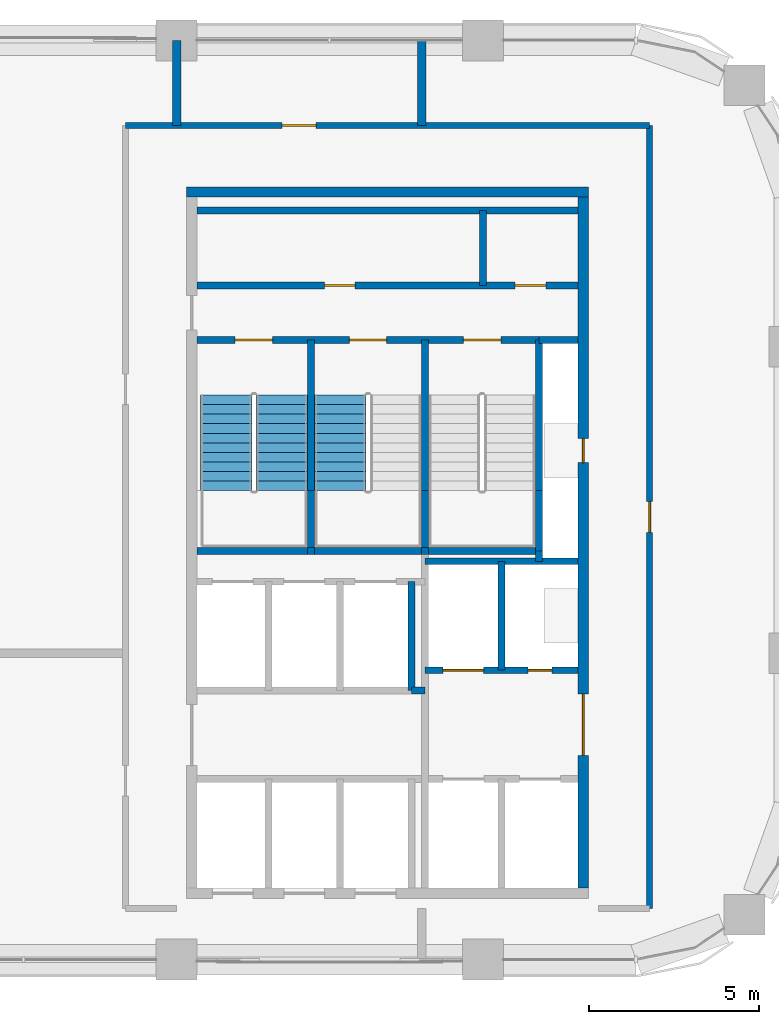
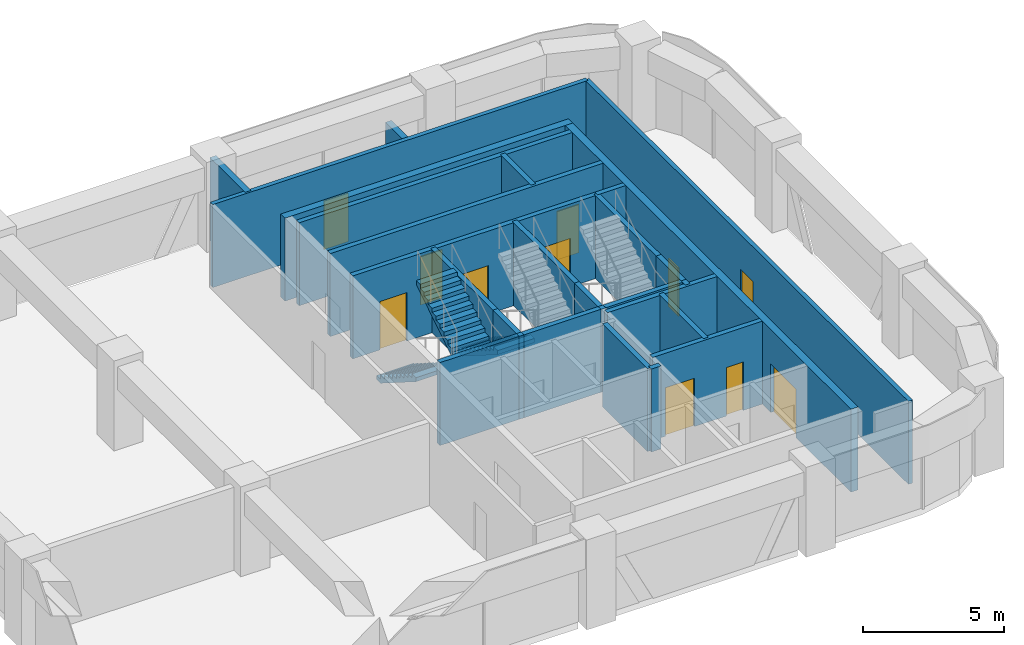
# One storey, part 7 of 9: 28 walls, 11 doors, 3 stair flights, 11 openings, 2 elements without a shape of their own.
"""IFC4 building model written with IfcOpenShell, lengths in metres."""

from ifc_helpers import new_model, si_unit, direction, frame, frame_2d, origin, place, context, subcontext, project, spatial, polyline, rectangle, outline, extrude, material, layer, layer_set, type_object, element, fill, aggregate, save


model = new_model("IFC4")

# Units and contexts
model_context = context("Model", 3, precision=1e-05, world=origin(), true_north=direction((0.0, 1.0)))
body_context = subcontext(model_context, "Body", "Model", "MODEL_VIEW")
ifc_project = project(units=[si_unit("LENGTHUNIT", "METRE"), si_unit("AREAUNIT", "SQUARE_METRE"), si_unit("VOLUMEUNIT", "CUBIC_METRE"), si_unit("PLANEANGLEUNIT", "RADIAN"), si_unit("MASSUNIT", "GRAM", prefix="KILO")], contexts=[model_context])

# Site, building, storey
site_placement = place(None, origin())
site = spatial("IfcSite", under=ifc_project, at=site_placement, CompositionType="ELEMENT")
building_placement = place(site_placement, origin())
building = spatial("IfcBuilding", under=site, at=building_placement, Name="Tessera Arch", CompositionType="ELEMENT")
storey_placement = place(building_placement, frame((0.0, 0.0, 312.89990234375)))
storey = spatial("IfcBuildingStorey", under=building, at=storey_placement, Name="L75", CompositionType="ELEMENT", Elevation=312.89990234375)

# Walls
ifc_material_1 = material(Name="Gypsum board on steel stud", Category="steel")
ifc_layer_1 = layer(ifc_material_1, 0.125)
ifc_layer_set_1 = layer_set([ifc_layer_1], Name="Core partition 125 EI 60")
wall_type_1 = type_object("IfcWallType", Name="Core partition 125 EI 60", PredefinedType="PARTITIONING", material=ifc_layer_set_1)
wall_1_placement = place(storey_placement, frame((45.0, 46.800048828125, 0.0), z_axis=(0.0, 0.0, 1.0), x_axis=(0.0, 1.0, 0.0)))
element("IfcWall", 1, at=wall_1_placement, inside=storey, type_object=wall_type_1, Name="L75 C1 partition wall 12", PredefinedType="PARTITIONING", context=body_context, shape_type="SweptSolid", body=[
    extrude(rectangle(XDim=2.199951171875, YDim=0.199951171875, at=frame_2d((1.10009765625, 0.0))), origin(), (0.0, 0.0, 1.0), 3.60009765625),
])
wall_2_placement = place(storey_placement, frame((42.89990234375, 34.89990234375, 0.0), z_axis=(0.0, 0.0, 1.0), x_axis=(1.0, 0.0, 0.0)))
element("IfcWall", 2, at=wall_2_placement, inside=storey, type_object=wall_type_1, Name="L75 C1 partition wall 19", PredefinedType="PARTITIONING", context=body_context, shape_type="SweptSolid", body=[
    extrude(rectangle(XDim=0.400146484375, YDim=0.199951171875, at=frame_2d((0.2001953125, 0.0))), origin(), (0.0, 0.0, 1.0), 3.60009765625),
])

# Wall, openings, doors
wall_3_placement = place(storey_placement, frame((36.60009765625, 46.800048828125, 0.0), z_axis=(0.0, 0.0, 1.0), x_axis=(1.0, 0.0, 0.0)))
wall_3 = element("IfcWall", 3, at=wall_3_placement, inside=storey, type_object=wall_type_1, Name="L75 C1 partition wall 31", PredefinedType="PARTITIONING", context=body_context, shape_type="SweptSolid", body=[
    extrude(rectangle(XDim=11.199951171875, YDim=0.199951171875, at=frame_2d((5.60009765625, 0.0))), origin(), (0.0, 0.0, 1.0), 3.60009765625),
])
opening_1_placement = place(wall_3_placement, frame((3.75, 0.0, 0.0)))
opening_1 = element("IfcOpeningElement", 4, at=opening_1_placement, cuts=wall_3, Name="Opening L75-C18", PredefinedType="OPENING", context=body_context, shape_type="SweptSolid", body=[
    extrude(rectangle(XDim=0.89990234375, YDim=2.10009765625, at=frame_2d((0.449951171875, 1.050048828125))), frame((0.0, 0.10986328125, 0.0), z_axis=(0.0, -1.0, 0.0), x_axis=(1.0, 0.0, 0.0)), (0.0, 0.0, 1.0), 0.219970703125),
])
opening_2_placement = place(wall_3_placement, frame((9.35009765625, 0.0, 0.0)))
opening_2 = element("IfcOpeningElement", 5, at=opening_2_placement, cuts=wall_3, Name="Opening L75-C19", PredefinedType="OPENING", context=body_context, shape_type="SweptSolid", body=[
    extrude(rectangle(XDim=0.89990234375, YDim=2.10009765625, at=frame_2d((0.449951171875, 1.050048828125))), frame((0.0, 0.10986328125, 0.0), z_axis=(0.0, -1.0, 0.0), x_axis=(1.0, 0.0, 0.0)), (0.0, 0.0, 1.0), 0.219970703125),
])
ifc_material_2 = material(Name="Steel door leaf", Category="steel")
door_type_1 = type_object("IfcDoorType", Name="Store door FD30S 900 x 2100", OperationType="SINGLE_SWING_LEFT", PredefinedType="DOOR", material=ifc_material_2)
door_1_placement = place(opening_1_placement, origin())
door_1 = element("IfcDoor", 6, at=door_1_placement, inside=storey, type_object=door_type_1, Name="L75 C1 door 18 C18 type D09", OperationType="SINGLE_SWING_LEFT", OverallHeight=2.10009765625, OverallWidth=0.89990234375, PredefinedType="DOOR", context=body_context, shape_type="SweptSolid", body=[
    extrude(rectangle(XDim=0.89990234375, YDim=2.10009765625, at=frame_2d((0.449951171875, 1.050048828125))), frame((0.0, 0.02490234375, 0.0), z_axis=(0.0, -1.0, 0.0), x_axis=(1.0, 0.0, 0.0)), (0.0, 0.0, 1.0), 0.050048828125),
])
fill(opening_1, door_1)
door_2_placement = place(opening_2_placement, origin())
door_2 = element("IfcDoor", 7, at=door_2_placement, inside=storey, type_object=door_type_1, Name="L75 C1 door 19 C19 type D09", OperationType="SINGLE_SWING_RIGHT", OverallHeight=2.10009765625, OverallWidth=0.89990234375, PredefinedType="DOOR", context=body_context, shape_type="SweptSolid", body=[
    extrude(rectangle(XDim=0.89990234375, YDim=2.10009765625, at=frame_2d((0.449951171875, 1.050048828125))), frame((0.0, 0.02490234375, 0.0), z_axis=(0.0, -1.0, 0.0), x_axis=(1.0, 0.0, 0.0)), (0.0, 0.0, 1.0), 0.050048828125),
])
fill(opening_2, door_2)

# Walls
wall_4_placement = place(storey_placement, frame((36.60009765625, 49.0, 0.0), z_axis=(0.0, 0.0, 1.0), x_axis=(1.0, 0.0, 0.0)))
element("IfcWall", 8, at=wall_4_placement, inside=storey, type_object=wall_type_1, Name="L75 C1 partition wall 32", PredefinedType="PARTITIONING", context=body_context, shape_type="SweptSolid", body=[
    extrude(rectangle(XDim=11.199951171875, YDim=0.199951171875, at=frame_2d((5.60009765625, 0.0))), origin(), (0.0, 0.0, 1.0), 3.60009765625),
])
ifc_material_3 = material(Name="Concrete C50/60", Category="concrete")
ifc_layer_2 = layer(ifc_material_3, 0.300048828125)
ifc_layer_set_2 = layer_set([ifc_layer_2], Name="Core shell wall 300 C50-60")
wall_type_2 = type_object("IfcWallType", Name="Core shell wall 300 C50-60", PredefinedType="SHEAR", material=ifc_layer_set_2)
wall_5_placement = place(storey_placement, frame((36.300048828125, 49.550048828125, 0.0), z_axis=(0.0, 0.0, 1.0), x_axis=(1.0, 0.0, 0.0)))
element("IfcWall", 9, at=wall_5_placement, inside=storey, type_object=wall_type_2, Name="L75 C1 core wall N", PredefinedType="SHEAR", context=body_context, shape_type="SweptSolid", body=[
    extrude(rectangle(XDim=11.800048828125, YDim=0.300048828125, at=frame_2d((5.89990234375, 0.0))), origin(), (0.0, 0.0, 1.0), 3.60009765625),
])

# Wall, openings, doors
wall_6_placement = place(storey_placement, frame((47.949951171875, 29.10009765625, 0.0), z_axis=(0.0, 0.0, 1.0), x_axis=(0.0, 1.0, 0.0)))
wall_6 = element("IfcWall", 10, at=wall_6_placement, inside=storey, type_object=wall_type_2, Name="L75 C1 core wall E", PredefinedType="SHEAR", context=body_context, shape_type="SweptSolid", body=[
    extrude(rectangle(XDim=20.2998046875, YDim=0.300048828125, at=frame_2d((10.14990234375, 0.0))), origin(), (0.0, 0.0, 1.0), 3.60009765625),
])
opening_3_placement = place(wall_6_placement, frame((12.5, 0.0, 0.0)))
opening_3 = element("IfcOpeningElement", 11, at=opening_3_placement, cuts=wall_6, Name="Opening L75-C14", PredefinedType="OPENING", context=body_context, shape_type="SweptSolid", body=[
    extrude(rectangle(XDim=0.699951171875, YDim=2.10009765625, at=frame_2d((0.35009765625, 1.050048828125))), frame((0.0, 0.159912109375, 0.0), z_axis=(0.0, -1.0, 0.0), x_axis=(1.0, 0.0, 0.0)), (0.0, 0.0, 1.0), 0.320068359375),
])
opening_4_placement = place(wall_6_placement, frame((3.89990234375, 0.0, 0.0)))
opening_4 = element("IfcOpeningElement", 12, at=opening_4_placement, cuts=wall_6, Name="Opening L75-C15", PredefinedType="OPENING", context=body_context, shape_type="SweptSolid", body=[
    extrude(rectangle(XDim=1.800048828125, YDim=2.10009765625, at=frame_2d((0.89990234375, 1.050048828125))), frame((0.0, 0.159912109375, 0.0), z_axis=(0.0, -1.0, 0.0), x_axis=(1.0, 0.0, 0.0)), (0.0, 0.0, 1.0), 0.320068359375),
])
ifc_material_4 = material(Name="Glazed steel door leaf", Category="steel")
door_type_2 = type_object("IfcDoorType", Name="Lobby double door FD60 1800 x 2100", OperationType="DOUBLE_DOOR_SINGLE_SWING", PredefinedType="DOOR", material=ifc_material_4)
door_3_placement = place(opening_4_placement, origin())
door_3 = element("IfcDoor", 13, at=door_3_placement, inside=storey, type_object=door_type_2, Name="L75 C1 door 15 C15 type D19", OperationType="DOUBLE_DOOR_SINGLE_SWING", OverallHeight=2.10009765625, OverallWidth=1.800048828125, PredefinedType="DOOR", context=body_context, shape_type="SweptSolid", body=[
    extrude(rectangle(XDim=1.800048828125, YDim=2.10009765625, at=frame_2d((0.89990234375, 1.050048828125))), frame((0.0, 0.02490234375, 0.0), z_axis=(0.0, -1.0, 0.0), x_axis=(1.0, 0.0, 0.0)), (0.0, 0.0, 1.0), 0.050048828125),
])
fill(opening_4, door_3)
ifc_material_5 = material(Name="Steel door leaf", Category="steel")
door_type_3 = type_object("IfcDoorType", Name="Service shaft door FD60 700 x 2100", OperationType="SINGLE_SWING_LEFT", PredefinedType="DOOR", material=ifc_material_5)
door_4_placement = place(opening_3_placement, origin())
door_4 = element("IfcDoor", 14, at=door_4_placement, inside=storey, type_object=door_type_3, Name="L75 C1 door 14 C14 type D07", OperationType="SINGLE_SWING_RIGHT", OverallHeight=2.10009765625, OverallWidth=0.699951171875, PredefinedType="DOOR", context=body_context, shape_type="SweptSolid", body=[
    extrude(rectangle(XDim=0.699951171875, YDim=2.10009765625, at=frame_2d((0.35009765625, 1.050048828125))), frame((0.0, 0.02490234375, 0.0), z_axis=(0.0, -1.0, 0.0), x_axis=(1.0, 0.0, 0.0)), (0.0, 0.0, 1.0), 0.050048828125),
])
fill(opening_3, door_4)

# Wall, opening, door
ifc_material_6 = material(Name="Gypsum board on deep steel stud with mineral wool", Category="steel")
ifc_layer_3 = layer(ifc_material_6, 0.175048828125)
ifc_layer_set_3 = layer_set([ifc_layer_3], Name="Corridor wall 175 EI 60")
wall_type_3 = type_object("IfcWallType", Name="Corridor wall 175 EI 60", PredefinedType="PARTITIONING", material=ifc_layer_set_3)
wall_7_placement = place(storey_placement, frame((34.5, 51.5, 0.0), z_axis=(0.0, 0.0, 1.0), x_axis=(1.0, 0.0, 0.0)))
wall_7 = element("IfcWall", 15, at=wall_7_placement, inside=storey, type_object=wall_type_3, Name="L75 partition 3", PredefinedType="PARTITIONING", context=body_context, shape_type="SweptSolid", body=[
    extrude(rectangle(XDim=15.39990234375, YDim=0.175048828125, at=frame_2d((7.699951171875, 0.0))), origin(), (0.0, 0.0, 1.0), 3.60009765625),
])
opening_5_placement = place(wall_7_placement, frame((4.60009765625, 0.0, 0.0)))
opening_5 = element("IfcOpeningElement", 16, at=opening_5_placement, cuts=wall_7, Name="Opening L75-D004", PredefinedType="OPENING", context=body_context, shape_type="SweptSolid", body=[
    extrude(rectangle(XDim=1.0, YDim=2.10009765625, at=frame_2d((0.5, 1.050048828125))), frame((0.0, 0.097412109375, 0.0), z_axis=(0.0, -1.0, 0.0), x_axis=(1.0, 0.0, 0.0)), (0.0, 0.0, 1.0), 0.195068359375),
])
ifc_material_7 = material(Name="Fire-rated door leaf")
door_type_4 = type_object("IfcDoorType", Name="Entrance door FD30S 1000 x 2100", OperationType="SINGLE_SWING_LEFT", PredefinedType="DOOR", material=ifc_material_7)
door_5_placement = place(opening_5_placement, origin())
door_5 = element("IfcDoor", 17, at=door_5_placement, inside=storey, type_object=door_type_4, Name="L75 door D004 type D03", OperationType="SINGLE_SWING_RIGHT", OverallHeight=2.10009765625, OverallWidth=1.0, PredefinedType="DOOR", context=body_context, shape_type="SweptSolid", body=[
    extrude(rectangle(XDim=1.0, YDim=2.10009765625, at=frame_2d((0.5, 1.050048828125))), frame((0.0, 0.02490234375, 0.0), z_axis=(0.0, -1.0, 0.0), x_axis=(1.0, 0.0, 0.0)), (0.0, 0.0, 1.0), 0.050048828125),
])
fill(opening_5, door_5)

wall_8_placement = place(storey_placement, frame((49.89990234375, 28.5, 0.0), z_axis=(0.0, 0.0, 1.0), x_axis=(0.0, 1.0, 0.0)))
wall_8 = element("IfcWall", 18, at=wall_8_placement, inside=storey, type_object=wall_type_3, Name="L75 partition 5", PredefinedType="PARTITIONING", context=body_context, shape_type="SweptSolid", body=[
    extrude(rectangle(XDim=23.0, YDim=0.175048828125, at=frame_2d((11.5, 0.0))), origin(), (0.0, 0.0, 1.0), 3.60009765625),
])
opening_6_placement = place(wall_8_placement, frame((11.050048828125, 0.0, 0.0)))
opening_6 = element("IfcOpeningElement", 19, at=opening_6_placement, cuts=wall_8, Name="Opening L75-D002", PredefinedType="OPENING", context=body_context, shape_type="SweptSolid", body=[
    extrude(rectangle(XDim=0.89990234375, YDim=2.10009765625, at=frame_2d((0.449951171875, 1.050048828125))), frame((0.0, 0.097412109375, 0.0), z_axis=(0.0, -1.0, 0.0), x_axis=(1.0, 0.0, 0.0)), (0.0, 0.0, 1.0), 0.195068359375),
])
ifc_material_8 = material(Name="Timber door leaf", Category="wood")
door_type_5 = type_object("IfcDoorType", Name="Room door 900 x 2100", OperationType="SINGLE_SWING_LEFT", PredefinedType="DOOR", material=ifc_material_8)
door_6_placement = place(opening_6_placement, origin())
door_6 = element("IfcDoor", 20, at=door_6_placement, inside=storey, type_object=door_type_5, Name="L75 door D002 type D01", OperationType="SINGLE_SWING_LEFT", OverallHeight=2.10009765625, OverallWidth=0.89990234375, PredefinedType="DOOR", context=body_context, shape_type="SweptSolid", body=[
    extrude(rectangle(XDim=0.89990234375, YDim=2.10009765625, at=frame_2d((0.449951171875, 1.050048828125))), frame((0.0, 0.02490234375, 0.0), z_axis=(0.0, -1.0, 0.0), x_axis=(1.0, 0.0, 0.0)), (0.0, 0.0, 1.0), 0.050048828125),
])
fill(opening_6, door_6)

# Walls
ifc_material_9 = material(Name="Double gypsum board on twin steel stud with acoustic mineral wool", Category="steel")
ifc_layer_4 = layer(ifc_material_9, 0.25)
ifc_layer_set_4 = layer_set([ifc_layer_4], Name="Party wall 250 EI 60")
wall_type_4 = type_object("IfcWallType", Name="Party wall 250 EI 60", PredefinedType="PARTITIONING", material=ifc_layer_set_4)
wall_9_placement = place(storey_placement, frame((36.0, 51.5, 0.0), z_axis=(0.0, 0.0, 1.0), x_axis=(0.0, 1.0, 0.0)))
element("IfcWall", 21, at=wall_9_placement, inside=storey, type_object=wall_type_4, Name="L75 partition 7", PredefinedType="PARTITIONING", context=body_context, shape_type="SweptSolid", body=[
    extrude(rectangle(XDim=2.5, YDim=0.25, at=frame_2d((1.25, 0.0))), origin(), (0.0, 0.0, 1.0), 3.60009765625),
])
wall_10_placement = place(storey_placement, frame((43.199951171875, 51.5, 0.0), z_axis=(0.0, 0.0, 1.0), x_axis=(0.0, 1.0, 0.0)))
element("IfcWall", 22, at=wall_10_placement, inside=storey, type_object=wall_type_4, Name="L75 partition 9", PredefinedType="PARTITIONING", context=body_context, shape_type="SweptSolid", body=[
    extrude(rectangle(XDim=2.5, YDim=0.25, at=frame_2d((1.25, 0.0))), origin(), (0.0, 0.0, 1.0), 2.60009765625),
])
ifc_material_10 = material(Name="Concrete C40/50", Category="concrete")
ifc_layer_5 = layer(ifc_material_10, 0.199951171875)
ifc_layer_set_5 = layer_set([ifc_layer_5], Name="Shaft wall 200 EI 120")
wall_type_5 = type_object("IfcWallType", Name="Shaft wall 200 EI 120", PredefinedType="SOLIDWALL", material=ifc_layer_set_5)
wall_11_placement = place(storey_placement, frame((42.89990234375, 34.89990234375, 0.0), z_axis=(0.0, 0.0, 1.0), x_axis=(0.0, 1.0, 0.0)))
element("IfcWall", 23, at=wall_11_placement, inside=storey, type_object=wall_type_5, Name="L75 C1 shaft wall 8", PredefinedType="SOLIDWALL", context=body_context, shape_type="SweptSolid", body=[
    extrude(rectangle(XDim=3.2001953125, YDim=0.199951171875, at=frame_2d((1.60009765625, 0.0))), origin(), (0.0, 0.0, 1.0), 3.60009765625),
])
wall_12_placement = place(storey_placement, frame((45.550048828125, 35.5, 0.0), z_axis=(0.0, 0.0, 1.0), x_axis=(0.0, 1.0, 0.0)))
element("IfcWall", 24, at=wall_12_placement, inside=storey, type_object=wall_type_5, Name="L75 C1 shaft wall 14", PredefinedType="SOLIDWALL", context=body_context, shape_type="SweptSolid", body=[
    extrude(rectangle(XDim=3.199951171875, YDim=0.199951171875, at=frame_2d((1.60009765625, 0.0))), origin(), (0.0, 0.0, 1.0), 3.60009765625),
])
wall_13_placement = place(storey_placement, frame((46.64990234375, 38.699951171875, 0.0), z_axis=(0.0, 0.0, 1.0), x_axis=(0.0, 1.0, 0.0)))
element("IfcWall", 25, at=wall_13_placement, inside=storey, type_object=wall_type_5, Name="L75 C1 shaft wall 15", PredefinedType="SOLIDWALL", context=body_context, shape_type="SweptSolid", body=[
    extrude(rectangle(XDim=0.300048828125, YDim=0.199951171875, at=frame_2d((0.14990234375, 0.0))), origin(), (0.0, 0.0, 1.0), 3.60009765625),
])

# Wall, openings, doors
wall_14_placement = place(storey_placement, frame((43.300048828125, 35.5, 0.0), z_axis=(0.0, 0.0, 1.0), x_axis=(1.0, 0.0, 0.0)))
wall_14 = element("IfcWall", 26, at=wall_14_placement, inside=storey, type_object=wall_type_5, Name="L75 C1 shaft wall 21", PredefinedType="SOLIDWALL", context=body_context, shape_type="SweptSolid", body=[
    extrude(rectangle(XDim=4.5, YDim=0.199951171875, at=frame_2d((2.25, 0.0))), origin(), (0.0, 0.0, 1.0), 3.60009765625),
])
opening_7_placement = place(wall_14_placement, frame((0.52490234375, 0.0, 0.0)))
opening_7 = element("IfcOpeningElement", 27, at=opening_7_placement, cuts=wall_14, Name="Opening L75-C09", PredefinedType="OPENING", context=body_context, shape_type="SweptSolid", body=[
    extrude(rectangle(XDim=1.199951171875, YDim=2.10009765625, at=frame_2d((0.60009765625, 1.050048828125))), frame((0.0, 0.10986328125, 0.0), z_axis=(0.0, -1.0, 0.0), x_axis=(1.0, 0.0, 0.0)), (0.0, 0.0, 1.0), 0.219970703125),
])
opening_8_placement = place(wall_14_placement, frame((3.02490234375, 0.0, 0.0)))
opening_8 = element("IfcOpeningElement", 28, at=opening_8_placement, cuts=wall_14, Name="Opening L75-C16", PredefinedType="OPENING", context=body_context, shape_type="SweptSolid", body=[
    extrude(rectangle(XDim=0.699951171875, YDim=2.10009765625, at=frame_2d((0.35009765625, 1.050048828125))), frame((0.0, 0.10986328125, 0.0), z_axis=(0.0, -1.0, 0.0), x_axis=(1.0, 0.0, 0.0)), (0.0, 0.0, 1.0), 0.219970703125),
])
door_7_placement = place(opening_8_placement, origin())
door_7 = element("IfcDoor", 29, at=door_7_placement, inside=storey, type_object=door_type_3, Name="L75 C1 door 16 C16 type D07", OperationType="SINGLE_SWING_RIGHT", OverallHeight=2.10009765625, OverallWidth=0.699951171875, PredefinedType="DOOR", context=body_context, shape_type="SweptSolid", body=[
    extrude(rectangle(XDim=0.699951171875, YDim=2.10009765625, at=frame_2d((0.35009765625, 1.050048828125))), frame((0.0, 0.02490234375, 0.0), z_axis=(0.0, -1.0, 0.0), x_axis=(1.0, 0.0, 0.0)), (0.0, 0.0, 1.0), 0.050048828125),
])
fill(opening_8, door_7)
ifc_material_11 = material(Name="Stainless steel AISI 304", Category="steel")
door_type_6 = type_object("IfcDoorType", Name="Sliding landing door 1200 x 2100", OperationType="SLIDING_TO_LEFT", PredefinedType="DOOR", material=ifc_material_11)
door_8_placement = place(opening_7_placement, origin())
door_8 = element("IfcDoor", 30, at=door_8_placement, inside=storey, type_object=door_type_6, Name="L75 SV2 lift landing door C09 type LD", OperationType="SLIDING_TO_LEFT", OverallHeight=2.10009765625, OverallWidth=1.199951171875, PredefinedType="DOOR", context=body_context, shape_type="SweptSolid", body=[
    extrude(rectangle(XDim=1.199951171875, YDim=2.10009765625, at=frame_2d((0.60009765625, 1.050048828125))), frame((0.0, 0.02490234375, 0.0), z_axis=(0.0, -1.0, 0.0), x_axis=(1.0, 0.0, 0.0)), (0.0, 0.0, 1.0), 0.050048828125),
])
fill(opening_7, door_8)

# Walls
wall_15_placement = place(storey_placement, frame((43.300048828125, 38.699951171875, 0.0), z_axis=(0.0, 0.0, 1.0), x_axis=(1.0, 0.0, 0.0)))
element("IfcWall", 31, at=wall_15_placement, inside=storey, type_object=wall_type_5, Name="L75 C1 shaft wall 23", PredefinedType="SOLIDWALL", context=body_context, shape_type="SweptSolid", body=[
    extrude(rectangle(XDim=4.5, YDim=0.199951171875, at=frame_2d((2.25, 0.0))), origin(), (0.0, 0.0, 1.0), 3.60009765625),
])
wall_16_placement = place(storey_placement, frame((46.64990234375, 45.199951171875, 0.0), z_axis=(0.0, 0.0, 1.0), x_axis=(1.0, 0.0, 0.0)))
element("IfcWall", 32, at=wall_16_placement, inside=storey, type_object=wall_type_5, Name="L75 C1 shaft wall 29", PredefinedType="SOLIDWALL", context=body_context, shape_type="SweptSolid", body=[
    extrude(rectangle(XDim=1.150146484375, YDim=0.199951171875, at=frame_2d((0.5751953125, 0.0))), origin(), (0.0, 0.0, 1.0), 3.60009765625),
])
ifc_material_12 = material(Name="Concrete C40/50", Category="concrete")
ifc_layer_6 = layer(ifc_material_12, 0.199951171875)
ifc_layer_set_6 = layer_set([ifc_layer_6], Name="Stair well wall 200 REI 180")
wall_type_6 = type_object("IfcWallType", Name="Stair well wall 200 REI 180", PredefinedType="SOLIDWALL", material=ifc_layer_set_6)
wall_17_placement = place(storey_placement, frame((39.949951171875, 39.0, 0.0), z_axis=(0.0, 0.0, 1.0), x_axis=(0.0, 1.0, 0.0)))
element("IfcWall", 33, at=wall_17_placement, inside=storey, type_object=wall_type_6, Name="L75 C1 shaft wall 3", PredefinedType="SOLIDWALL", context=body_context, shape_type="SweptSolid", body=[
    extrude(rectangle(XDim=1.780029296875, YDim=0.199951171875, at=frame_2d((0.89013671875, 0.0))), origin(), (0.0, 0.0, 1.0), 3.60009765625),
])
wall_18_placement = place(storey_placement, frame((39.949951171875, 40.780029296875, 0.0), z_axis=(0.0, 0.0, 1.0), x_axis=(0.0, 1.0, 0.0)))
element("IfcWall", 34, at=wall_18_placement, inside=storey, type_object=wall_type_6, Name="L75 C1 shaft wall 4", PredefinedType="SOLIDWALL", context=body_context, shape_type="SweptSolid", body=[
    extrude(rectangle(XDim=4.419921875, YDim=0.199951171875, at=frame_2d((2.2099609375, 0.0))), origin(), (0.0, 0.0, 1.0), 3.60009765625),
])
wall_19_placement = place(storey_placement, frame((43.300048828125, 39.0, 0.0), z_axis=(0.0, 0.0, 1.0), x_axis=(0.0, 1.0, 0.0)))
element("IfcWall", 35, at=wall_19_placement, inside=storey, type_object=wall_type_6, Name="L75 C1 shaft wall 10", PredefinedType="SOLIDWALL", context=body_context, shape_type="SweptSolid", body=[
    extrude(rectangle(XDim=1.780029296875, YDim=0.199951171875, at=frame_2d((0.89013671875, 0.0))), origin(), (0.0, 0.0, 1.0), 3.60009765625),
])
wall_20_placement = place(storey_placement, frame((43.300048828125, 40.780029296875, 0.0), z_axis=(0.0, 0.0, 1.0), x_axis=(0.0, 1.0, 0.0)))
element("IfcWall", 36, at=wall_20_placement, inside=storey, type_object=wall_type_6, Name="L75 C1 shaft wall 11", PredefinedType="SOLIDWALL", context=body_context, shape_type="SweptSolid", body=[
    extrude(rectangle(XDim=4.419921875, YDim=0.199951171875, at=frame_2d((2.2099609375, 0.0))), origin(), (0.0, 0.0, 1.0), 3.60009765625),
])
wall_21_placement = place(storey_placement, frame((46.64990234375, 39.0, 0.0), z_axis=(0.0, 0.0, 1.0), x_axis=(0.0, 1.0, 0.0)))
element("IfcWall", 37, at=wall_21_placement, inside=storey, type_object=wall_type_6, Name="L75 C1 shaft wall 16", PredefinedType="SOLIDWALL", context=body_context, shape_type="SweptSolid", body=[
    extrude(rectangle(XDim=1.780029296875, YDim=0.199951171875, at=frame_2d((0.89013671875, 0.0))), origin(), (0.0, 0.0, 1.0), 3.60009765625),
])
wall_22_placement = place(storey_placement, frame((46.64990234375, 40.780029296875, 0.0), z_axis=(0.0, 0.0, 1.0), x_axis=(0.0, 1.0, 0.0)))
element("IfcWall", 38, at=wall_22_placement, inside=storey, type_object=wall_type_6, Name="L75 C1 shaft wall 17", PredefinedType="SOLIDWALL", context=body_context, shape_type="SweptSolid", body=[
    extrude(rectangle(XDim=4.419921875, YDim=0.199951171875, at=frame_2d((2.2099609375, 0.0))), origin(), (0.0, 0.0, 1.0), 3.60009765625),
])
wall_23_placement = place(storey_placement, frame((36.60009765625, 39.0, 0.0), z_axis=(0.0, 0.0, 1.0), x_axis=(1.0, 0.0, 0.0)))
element("IfcWall", 39, at=wall_23_placement, inside=storey, type_object=wall_type_6, Name="L75 C1 shaft wall 24", PredefinedType="SOLIDWALL", context=body_context, shape_type="SweptSolid", body=[
    extrude(rectangle(XDim=3.25, YDim=0.199951171875, at=frame_2d((1.625, 0.0))), origin(), (0.0, 0.0, 1.0), 3.60009765625),
])
wall_24_placement = place(storey_placement, frame((39.85009765625, 39.0, 0.0), z_axis=(0.0, 0.0, 1.0), x_axis=(1.0, 0.0, 0.0)))
element("IfcWall", 40, at=wall_24_placement, inside=storey, type_object=wall_type_6, Name="L75 C1 shaft wall 25", PredefinedType="SOLIDWALL", context=body_context, shape_type="SweptSolid", body=[
    extrude(rectangle(XDim=0.199951171875, YDim=0.199951171875, at=frame_2d((0.10009765625, 0.0))), origin(), (0.0, 0.0, 1.0), 3.60009765625),
])
wall_25_placement = place(storey_placement, frame((40.050048828125, 39.0, 0.0), z_axis=(0.0, 0.0, 1.0), x_axis=(1.0, 0.0, 0.0)))
element("IfcWall", 41, at=wall_25_placement, inside=storey, type_object=wall_type_6, Name="L75 C1 shaft wall 26", PredefinedType="SOLIDWALL", context=body_context, shape_type="SweptSolid", body=[
    extrude(rectangle(XDim=3.14990234375, YDim=0.199951171875, at=frame_2d((1.574951171875, 0.0))), origin(), (0.0, 0.0, 1.0), 3.60009765625),
])
wall_26_placement = place(storey_placement, frame((43.199951171875, 39.0, 0.0), z_axis=(0.0, 0.0, 1.0), x_axis=(1.0, 0.0, 0.0)))
element("IfcWall", 42, at=wall_26_placement, inside=storey, type_object=wall_type_6, Name="L75 C1 shaft wall 27", PredefinedType="SOLIDWALL", context=body_context, shape_type="SweptSolid", body=[
    extrude(rectangle(XDim=0.199951171875, YDim=0.199951171875, at=frame_2d((0.10009765625, 0.0))), origin(), (0.0, 0.0, 1.0), 3.60009765625),
])
wall_27_placement = place(storey_placement, frame((43.39990234375, 39.0, 0.0), z_axis=(0.0, 0.0, 1.0), x_axis=(1.0, 0.0, 0.0)))
element("IfcWall", 43, at=wall_27_placement, inside=storey, type_object=wall_type_6, Name="L75 C1 shaft wall 28", PredefinedType="SOLIDWALL", context=body_context, shape_type="SweptSolid", body=[
    extrude(rectangle(XDim=3.25, YDim=0.199951171875, at=frame_2d((1.625, 0.0))), origin(), (0.0, 0.0, 1.0), 3.60009765625),
])

# Wall, openings, doors
wall_28_placement = place(storey_placement, frame((36.60009765625, 45.199951171875, 0.0), z_axis=(0.0, 0.0, 1.0), x_axis=(1.0, 0.0, 0.0)))
wall_28 = element("IfcWall", 44, at=wall_28_placement, inside=storey, type_object=wall_type_6, Name="L75 C1 shaft wall 30", PredefinedType="SOLIDWALL", context=body_context, shape_type="SweptSolid", body=[
    extrude(rectangle(XDim=10.0498046875, YDim=0.199951171875, at=frame_2d((5.02490234375, 0.0))), origin(), (0.0, 0.0, 1.0), 3.60009765625),
])
opening_9_placement = place(wall_28_placement, frame((1.125, 0.0, 0.0)))
opening_9 = element("IfcOpeningElement", 45, at=opening_9_placement, cuts=wall_28, Name="Opening L75-C11", PredefinedType="OPENING", context=body_context, shape_type="SweptSolid", body=[
    extrude(rectangle(XDim=1.10009765625, YDim=2.10009765625, at=frame_2d((0.550048828125, 1.050048828125))), frame((0.0, 0.10986328125, 0.0), z_axis=(0.0, -1.0, 0.0), x_axis=(1.0, 0.0, 0.0)), (0.0, 0.0, 1.0), 0.219970703125),
])
opening_10_placement = place(wall_28_placement, frame((4.47509765625, 0.0, 0.0)))
opening_10 = element("IfcOpeningElement", 46, at=opening_10_placement, cuts=wall_28, Name="Opening L75-C12", PredefinedType="OPENING", context=body_context, shape_type="SweptSolid", body=[
    extrude(rectangle(XDim=1.10009765625, YDim=2.10009765625, at=frame_2d((0.550048828125, 1.050048828125))), frame((0.0, 0.10986328125, 0.0), z_axis=(0.0, -1.0, 0.0), x_axis=(1.0, 0.0, 0.0)), (0.0, 0.0, 1.0), 0.219970703125),
])
opening_11_placement = place(wall_28_placement, frame((7.824951171875, 0.0, 0.0)))
opening_11 = element("IfcOpeningElement", 47, at=opening_11_placement, cuts=wall_28, Name="Opening L75-C13", PredefinedType="OPENING", context=body_context, shape_type="SweptSolid", body=[
    extrude(rectangle(XDim=1.10009765625, YDim=2.10009765625, at=frame_2d((0.550048828125, 1.050048828125))), frame((0.0, 0.10986328125, 0.0), z_axis=(0.0, -1.0, 0.0), x_axis=(1.0, 0.0, 0.0)), (0.0, 0.0, 1.0), 0.219970703125),
])
ifc_material_13 = material(Name="Steel door leaf", Category="steel")
door_type_7 = type_object("IfcDoorType", Name="Stair door FD60 1100 x 2100", OperationType="SINGLE_SWING_LEFT", PredefinedType="DOOR", material=ifc_material_13)
door_9_placement = place(opening_9_placement, origin())
door_9 = element("IfcDoor", 48, at=door_9_placement, inside=storey, type_object=door_type_7, Name="L75 C1 door 11 C11 type D05", OperationType="SINGLE_SWING_LEFT", OverallHeight=2.10009765625, OverallWidth=1.10009765625, PredefinedType="DOOR", context=body_context, shape_type="SweptSolid", body=[
    extrude(rectangle(XDim=1.10009765625, YDim=2.10009765625, at=frame_2d((0.550048828125, 1.050048828125))), frame((0.0, 0.02490234375, 0.0), z_axis=(0.0, -1.0, 0.0), x_axis=(1.0, 0.0, 0.0)), (0.0, 0.0, 1.0), 0.050048828125),
])
fill(opening_9, door_9)
door_10_placement = place(opening_10_placement, origin())
door_10 = element("IfcDoor", 49, at=door_10_placement, inside=storey, type_object=door_type_7, Name="L75 C1 door 12 C12 type D05", OperationType="SINGLE_SWING_RIGHT", OverallHeight=2.10009765625, OverallWidth=1.10009765625, PredefinedType="DOOR", context=body_context, shape_type="SweptSolid", body=[
    extrude(rectangle(XDim=1.10009765625, YDim=2.10009765625, at=frame_2d((0.550048828125, 1.050048828125))), frame((0.0, 0.02490234375, 0.0), z_axis=(0.0, -1.0, 0.0), x_axis=(1.0, 0.0, 0.0)), (0.0, 0.0, 1.0), 0.050048828125),
])
fill(opening_10, door_10)
door_11_placement = place(opening_11_placement, origin())
door_11 = element("IfcDoor", 50, at=door_11_placement, inside=storey, type_object=door_type_7, Name="L75 C1 door 13 C13 type D05", OperationType="SINGLE_SWING_RIGHT", OverallHeight=2.10009765625, OverallWidth=1.10009765625, PredefinedType="DOOR", context=body_context, shape_type="SweptSolid", body=[
    extrude(rectangle(XDim=1.10009765625, YDim=2.10009765625, at=frame_2d((0.550048828125, 1.050048828125))), frame((0.0, 0.02490234375, 0.0), z_axis=(0.0, -1.0, 0.0), x_axis=(1.0, 0.0, 0.0)), (0.0, 0.0, 1.0), 0.050048828125),
])
fill(opening_11, door_11)

# Stair, stair flights
ifc_material_14 = material(Name="Concrete C40/50", Category="concrete")
stair_type = type_object("IfcStairType", Name="Dogleg stair 1520", PredefinedType="HALF_TURN_STAIR", material=ifc_material_14)
stair_1_placement = place(storey_placement, origin())
stair_1 = element("IfcStair", 51, at=stair_1_placement, inside=storey, type_object=stair_type, Name="L75 S1a", PredefinedType="HALF_TURN_STAIR")
ifc_material_15 = material(Name="Concrete C40/50", Category="concrete")
stair_flight_type = type_object("IfcStairFlightType", Name="Stair flight 1520", PredefinedType="STRAIGHT", material=ifc_material_15)
stair_flight_1_placement = place(storey_placement, frame((37.4599609375, 43.580078125, 0.0), z_axis=(0.0, 0.0, 1.0), x_axis=(0.0, -1.0, 0.0)))
stair_flight_1 = element("IfcStairFlight", 52, at=stair_flight_1_placement, type_object=stair_flight_type, Name="S1a flight 1", NumberOfRisers=11, NumberOfTreads=10, PredefinedType="STRAIGHT", RiserHeight=0.177272727, TreadLength=0.28, context=body_context, shape_type="SweptSolid", body=[
    extrude(outline(polyline([(0.0, 0.0), (0.0, 0.17724609375), (0.280029296875, 0.17724609375), (0.280029296875, 0.3544921875), (0.56005859375, 0.3544921875), (0.56005859375, 0.53173828125), (0.840087890625, 0.53173828125), (0.840087890625, 0.708984375), (1.1201171875, 0.708984375), (1.1201171875, 0.886474609375), (1.39990234375, 0.886474609375), (1.39990234375, 1.063720703125), (1.679931640625, 1.063720703125), (1.679931640625, 1.240966796875), (1.9599609375, 1.240966796875), (1.9599609375, 1.418212890625), (2.239990234375, 1.418212890625), (2.239990234375, 1.595458984375), (2.52001953125, 1.595458984375), (2.52001953125, 1.772705078125), (2.800048828125, 1.772705078125), (2.800048828125, 1.949951171875), (2.800048828125, 1.59521484375), (0.2802734375, 0.0), (0.0, 0.0)])), frame((0.0, 0.760009765625, 0.0), z_axis=(0.0, -1.0, 0.0), x_axis=(1.0, 0.0, 0.0)), (0.0, 0.0, 1.0), 1.52001953125),
])
stair_flight_2_placement = place(storey_placement, frame((39.090087890625, 40.780029296875, 1.9501953125), z_axis=(0.0, 0.0, 1.0), x_axis=(0.0, 1.0, 0.0)))
stair_flight_2 = element("IfcStairFlight", 53, at=stair_flight_2_placement, type_object=stair_flight_type, Name="S1a flight 2", NumberOfRisers=11, NumberOfTreads=10, PredefinedType="STRAIGHT", RiserHeight=0.177272727, TreadLength=0.28, context=body_context, shape_type="SweptSolid", body=[
    extrude(outline(polyline([(0.0, 0.0), (0.0, 0.17724609375), (0.280029296875, 0.17724609375), (0.280029296875, 0.3544921875), (0.56005859375, 0.3544921875), (0.56005859375, 0.53173828125), (0.840087890625, 0.53173828125), (0.840087890625, 0.708984375), (1.1201171875, 0.708984375), (1.1201171875, 0.886474609375), (1.39990234375, 0.886474609375), (1.39990234375, 1.063720703125), (1.679931640625, 1.063720703125), (1.679931640625, 1.240966796875), (1.9599609375, 1.240966796875), (1.9599609375, 1.418212890625), (2.239990234375, 1.418212890625), (2.239990234375, 1.595458984375), (2.52001953125, 1.595458984375), (2.52001953125, 1.772705078125), (2.800048828125, 1.772705078125), (2.800048828125, 1.949951171875), (2.800048828125, 1.59521484375), (0.2802734375, 0.0), (0.0, 0.0)])), frame((0.0, 0.760009765625, 0.0), z_axis=(0.0, -1.0, 0.0), x_axis=(1.0, 0.0, 0.0)), (0.0, 0.0, 1.0), 1.52001953125),
])
aggregate(stair_1, [stair_flight_1, stair_flight_2])

# Stair, stair flight
stair_2_placement = place(storey_placement, origin())
stair_2 = element("IfcStair", 54, at=stair_2_placement, inside=storey, type_object=stair_type, Name="L75 S1b", PredefinedType="HALF_TURN_STAIR")
stair_flight_3_placement = place(storey_placement, frame((40.81005859375, 43.580078125, 0.0), z_axis=(0.0, 0.0, 1.0), x_axis=(0.0, -1.0, 0.0)))
stair_flight_3 = element("IfcStairFlight", 55, at=stair_flight_3_placement, type_object=stair_flight_type, Name="S1b flight 1", NumberOfRisers=11, NumberOfTreads=10, PredefinedType="STRAIGHT", RiserHeight=0.177272727, TreadLength=0.28, context=body_context, shape_type="SweptSolid", body=[
    extrude(outline(polyline([(0.0, 0.0), (0.0, 0.17724609375), (0.280029296875, 0.17724609375), (0.280029296875, 0.3544921875), (0.56005859375, 0.3544921875), (0.56005859375, 0.53173828125), (0.840087890625, 0.53173828125), (0.840087890625, 0.708984375), (1.1201171875, 0.708984375), (1.1201171875, 0.886474609375), (1.39990234375, 0.886474609375), (1.39990234375, 1.063720703125), (1.679931640625, 1.063720703125), (1.679931640625, 1.240966796875), (1.9599609375, 1.240966796875), (1.9599609375, 1.418212890625), (2.239990234375, 1.418212890625), (2.239990234375, 1.595458984375), (2.52001953125, 1.595458984375), (2.52001953125, 1.772705078125), (2.800048828125, 1.772705078125), (2.800048828125, 1.949951171875), (2.800048828125, 1.59521484375), (0.2802734375, 0.0), (0.0, 0.0)])), frame((0.0, 0.760009765625, 0.0), z_axis=(0.0, -1.0, 0.0), x_axis=(1.0, 0.0, 0.0)), (0.0, 0.0, 1.0), 1.52001953125),
])
aggregate(stair_2, [stair_flight_3])

save(model, "model.ifc")
